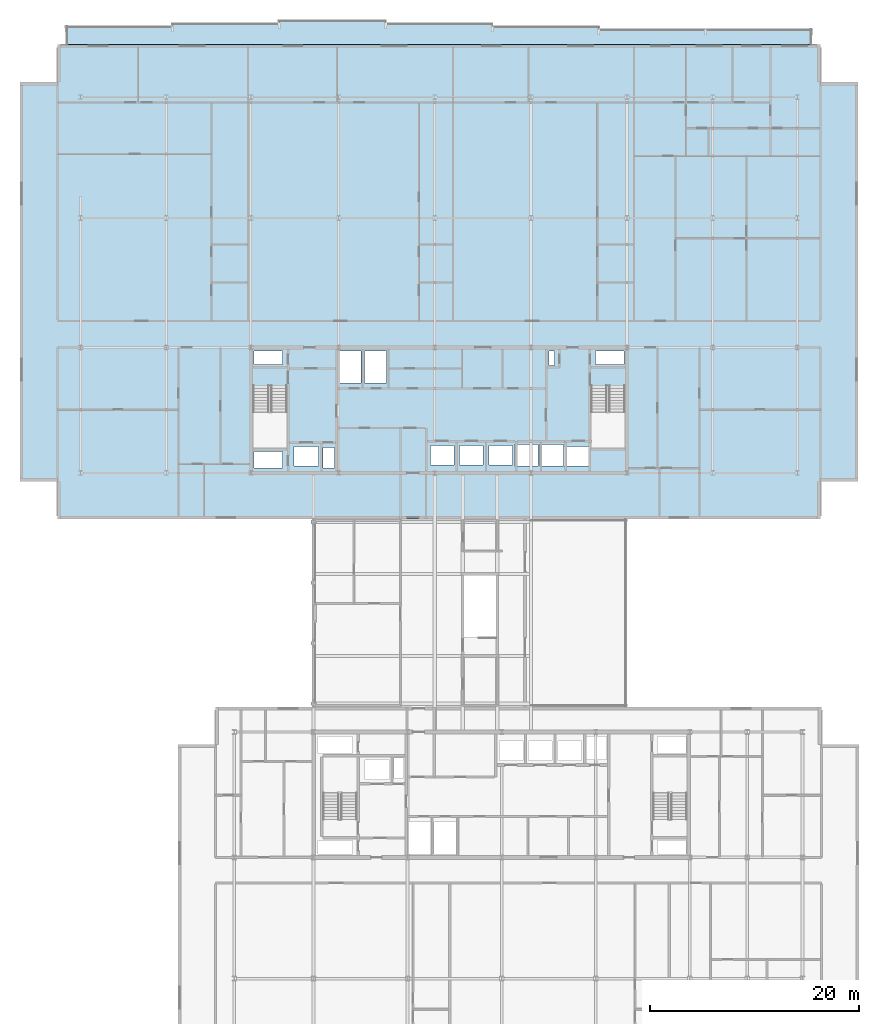
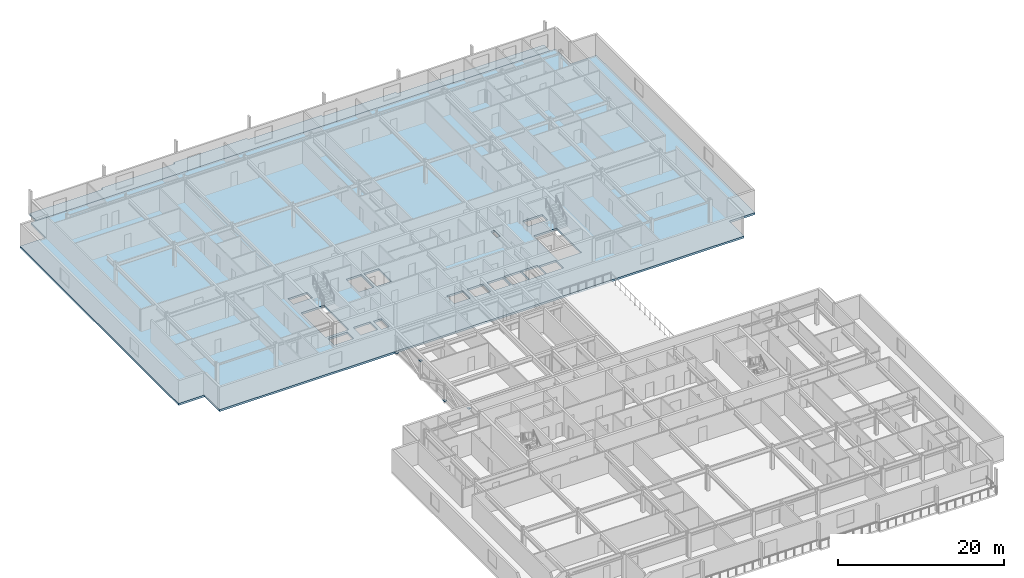
# One storey, part 10 of 28: 4 plates, 2 slabs.
"""IFC4 building model written with IfcOpenShell, lengths in metres."""

import ifcopenshell
import ifcopenshell.guid

model = None  # the IFC model being written
_history = None  # IfcOwnerHistory: only IFC2X3 demands one
_inside = {}  # id of a spatial element -> (the spatial element, [elements in it])
_under = {}  # id of a project, library or spatial element -> (it, [spatial elements below it])
_declared = {}  # id of a project -> (the project, [libraries it declares])
_typed = {}  # id of a type object -> (the type object, [elements of that type])
_made_of = {}  # id of a material, layer set ... -> (it, [elements and type objects made of it])


def new_model(schema):
    """Start an empty IFC model of exactly this schema.

    Asked for "IFC4X3", IfcOpenShell would pick the latest addendum, in which some entities
    have other attributes; the version numbers below select the first issue.
    IFC2X3 requires an IfcOwnerHistory on every rooted entity: one is made here for all.
    """
    global model, _history
    if schema == "IFC4X3":
        model = ifcopenshell.file(schema_version=(4, 3, 0, 0))
    else:
        model = ifcopenshell.file(schema=schema)
    _inside.clear()
    _under.clear()
    _declared.clear()
    _typed.clear()
    _made_of.clear()
    _history = None
    if model.schema == "IFC2X3":
        org = make("IfcOrganization", Name="unknown")
        user = make(
            "IfcPersonAndOrganization",
            ThePerson=make("IfcPerson", FamilyName="unknown"),
            TheOrganization=org,
        )
        app = make(
            "IfcApplication",
            ApplicationDeveloper=org,
            Version="unknown",
            ApplicationFullName="unknown",
            ApplicationIdentifier="unknown",
        )
        _history = make(
            "IfcOwnerHistory",
            OwningUser=user,
            OwningApplication=app,
            ChangeAction="ADDED",
            CreationDate=0,
        )
    return model


def make(cls, **values):
    """One entity of the class cls with the attributes given. An attribute that is None is left unset."""
    return model.create_entity(
        cls, **{name: value for name, value in values.items() if value is not None}
    )


def rooted(cls, **values):
    """An entity with a GlobalId (a new one), such as an element, a storey or a relation."""
    return make(cls, GlobalId=ifcopenshell.guid.new(), OwnerHistory=_history, **values)


def si_unit(unit_type, name, prefix=None):
    """IfcSIUnit, for example si_unit("LENGTHUNIT", "METRE", prefix="MILLI")."""
    return make("IfcSIUnit", UnitType=unit_type, Prefix=prefix, Name=name)


def assignment(units):
    """IfcUnitAssignment: the units of a project."""
    return None if units is None else make("IfcUnitAssignment", Units=units)


def point(xyz):
    """IfcCartesianPoint."""
    return None if xyz is None else make("IfcCartesianPoint", Coordinates=xyz)


def direction(xyz):
    """IfcDirection."""
    return None if xyz is None else make("IfcDirection", DirectionRatios=xyz)


def frame(location, z_axis=None, x_axis=None):
    """IfcAxis2Placement3D, a coordinate frame: its origin and axes. An axis left out is left unset."""
    return make(
        "IfcAxis2Placement3D",
        Location=point(location),
        Axis=direction(z_axis),
        RefDirection=direction(x_axis),
    )


def frame_2d(location, x_axis=None):
    """IfcAxis2Placement2D, a coordinate frame in the plane: its origin and x axis."""
    return make(
        "IfcAxis2Placement2D", Location=point(location), RefDirection=direction(x_axis)
    )


def origin():
    """The frame at (0, 0, 0) with its axes left unset."""
    return frame((0.0, 0.0, 0.0))


def origin_2d():
    """The frame at (0, 0) in the plane with its x axis left unset."""
    return frame_2d((0.0, 0.0))


def place(relative_to, where):
    """IfcLocalPlacement: puts the frame where relative to a parent placement (None: the world)."""
    return make(
        "IfcLocalPlacement", PlacementRelTo=relative_to, RelativePlacement=where
    )


def context(
    kind, dimensions, precision=None, world=None, true_north=None, identifier=None
):
    """IfcGeometricRepresentationContext, for example the 3D "Model" context."""
    return make(
        "IfcGeometricRepresentationContext",
        ContextIdentifier=identifier,
        ContextType=kind,
        CoordinateSpaceDimension=dimensions,
        Precision=precision,
        WorldCoordinateSystem=world,
        TrueNorth=true_north,
    )


def subcontext(parent, identifier, kind, view, scale=None):
    """IfcGeometricRepresentationSubContext, for example "Body" below "Model"."""
    return make(
        "IfcGeometricRepresentationSubContext",
        ContextIdentifier=identifier,
        ContextType=kind,
        ParentContext=parent,
        TargetScale=scale,
        TargetView=view,
    )


def project(units=None, contexts=None):
    """IfcProject with its units and contexts."""
    return rooted(
        "IfcProject",
        Name="project",
        RepresentationContexts=contexts,
        UnitsInContext=assignment(units),
    )


def spatial(cls, under=None, at=None, **own):
    """A site, building, storey or space (cls), placed at a placement, below another one or the project."""
    s = rooted(cls, ObjectPlacement=at, **own)
    if under is not None:
        _under.setdefault(under.id(), (under, []))[1].append(s)
    return s


def polyline(points):
    """IfcPolyline through the points."""
    return make("IfcPolyline", Points=[point(p) for p in points])


def profile(cls, at=None, kind="AREA", **sizes):
    """A parametric profile (cls). Its sizes go by their IFC names, for example OverallWidth=200.0."""
    return make(cls, ProfileType=kind, Position=at, **sizes)


def rectangle(**sizes):
    """IfcRectangleProfileDef."""
    return profile("IfcRectangleProfileDef", **sizes)


def outline(outer, holes=None, kind="AREA"):
    """IfcArbitraryClosedProfileDef: a profile drawn as a closed curve; with holes, ...WithVoids."""
    if holes is None:
        return make("IfcArbitraryClosedProfileDef", ProfileType=kind, OuterCurve=outer)
    return make(
        "IfcArbitraryProfileDefWithVoids",
        ProfileType=kind,
        OuterCurve=outer,
        InnerCurves=holes,
    )


def extrude(swept, where, along, depth):
    """IfcExtrudedAreaSolid: the profile swept, set in the frame where, extruded along a direction by depth."""
    return make(
        "IfcExtrudedAreaSolid",
        SweptArea=swept,
        Position=where,
        ExtrudedDirection=direction(along),
        Depth=depth,
    )


def shape(context_of_items, identifier, shape_type, items):
    """IfcShapeRepresentation: the items that make up one representation, for example the "Body"."""
    return make(
        "IfcShapeRepresentation",
        ContextOfItems=context_of_items,
        RepresentationIdentifier=identifier,
        RepresentationType=shape_type,
        Items=items,
    )


def material(Name=None, Category=None):
    """IfcMaterial."""
    return make("IfcMaterial", Name=Name, Category=Category)


def layer(
    of_material, thickness, ventilated=None, Name=None, Category=None, Priority=None
):
    """IfcMaterialLayer: one layer of a wall or slab, of a material (None: an air gap)."""
    return make(
        "IfcMaterialLayer",
        Material=of_material,
        LayerThickness=thickness,
        IsVentilated=ventilated,
        Name=Name,
        Category=Category,
        Priority=Priority,
    )


def layer_set(layers, Name=None):
    """IfcMaterialLayerSet."""
    return make("IfcMaterialLayerSet", MaterialLayers=layers, LayerSetName=Name)


def made_of(thing, what):
    """Note that an element or type object is made of a material, layer set ...; save() writes the relation."""
    if what is not None:
        _made_of.setdefault(what.id(), (what, []))[1].append(thing)
    return thing


def type_object(cls, material=None, **own):
    """A type object (cls), such as IfcWallType, which elements share."""
    return made_of(rooted(cls, **own), material)


def element(
    cls,
    number,
    at=None,
    inside=None,
    cuts=None,
    type_object=None,
    material=None,
    context=None,
    identifier="Body",
    shape_type=None,
    held_by="IfcProductDefinitionShape",
    body=None,
    shapes=None,
    **own,
):
    """One element of the class cls, such as IfcWall. Its Tag is "e" and its number.

    at: its placement. inside: the storey or other place that contains it. cuts: it is an
    opening in that element (IfcRelVoidsElement). A single representation is given by context,
    identifier, shape_type and body (its items); several are given by shapes. held_by: the class
    of the entity that holds the representations. save() writes the other relations.
    """
    e = rooted(cls, Tag="e%d" % number, ObjectPlacement=at, **own)
    if body is not None:
        shapes = [shape(context, identifier, shape_type, body)]
    if shapes is not None:
        e.Representation = make(held_by, Representations=shapes)
    if inside is not None:
        _inside.setdefault(inside.id(), (inside, []))[1].append(e)
    if cuts is not None:
        rooted(
            "IfcRelVoidsElement", RelatingBuildingElement=cuts, RelatedOpeningElement=e
        )
    if type_object is not None:
        _typed.setdefault(type_object.id(), (type_object, []))[1].append(e)
    return made_of(e, material)


def aggregate(whole, parts):
    """IfcRelAggregates: a whole, such as a stair, and the parts it consists of."""
    return rooted("IfcRelAggregates", RelatingObject=whole, RelatedObjects=parts)


def save(model, path):
    """Write the relations noted so far, then the file.

    IfcRelAggregates (storeys below a building ...), IfcRelContainedInSpatialStructure (elements
    in a storey), IfcRelDefinesByType, IfcRelAssociatesMaterial and IfcRelDeclares: one each for
    every whole, place, type object, material and project.
    """
    for whole, parts in _under.values():
        aggregate(whole, parts)
    for where, things in _inside.values():
        rooted(
            "IfcRelContainedInSpatialStructure",
            RelatedElements=things,
            RelatingStructure=where,
        )
    for kind, things in _typed.values():
        rooted("IfcRelDefinesByType", RelatedObjects=things, RelatingType=kind)
    for what, things in _made_of.values():
        rooted("IfcRelAssociatesMaterial", RelatedObjects=things, RelatingMaterial=what)
    for by, libraries in _declared.values():
        rooted("IfcRelDeclares", RelatingContext=by, RelatedDefinitions=libraries)
    model.write(path)


model = new_model("IFC4")

# Units and contexts
model_context = context("Model", 3, precision=1e-05, world=origin(), true_north=direction((0.0, 1.0)))
body_context = subcontext(model_context, "Body", "Model", "MODEL_VIEW")
ifc_project = project(units=[si_unit("LENGTHUNIT", "METRE"), si_unit("AREAUNIT", "SQUARE_METRE"), si_unit("VOLUMEUNIT", "CUBIC_METRE"), si_unit("PLANEANGLEUNIT", "RADIAN"), si_unit("MASSUNIT", "GRAM", prefix="KILO")], contexts=[model_context])

# Site, building, storey
site_placement = place(None, origin())
site = spatial("IfcSite", under=ifc_project, at=site_placement, CompositionType="ELEMENT")
building_placement = place(site_placement, origin())
building = spatial("IfcBuilding", under=site, at=building_placement, Name="Korimba Cascade Residences", CompositionType="ELEMENT")
storey_placement = place(building_placement, frame((0.0, 0.0, 153.699951171875)))
storey = spatial("IfcBuildingStorey", under=building, at=storey_placement, Name="L44", CompositionType="ELEMENT", Elevation=153.699951171875)

# Plates
ifc_material_1 = material(Name="Steel S460", Category="steel")
ifc_layer_1 = layer(ifc_material_1, 0.028076171875)
ifc_layer_set_1 = layer_set([ifc_layer_1], Name="Steel S460")
plate_type = type_object("IfcPlateType", Name="PLT-ENDCAP-28", PredefinedType="USERDEFINED", material=ifc_layer_set_1)
for number, where, z_axis, x_axis, name in (
    (1, (82.10009765625, 33.10009765625, 2.37939453125), (0.0, 0.0, 1.0), (1.0, 0.0, 0.0), "L44 Brace Welded End Connection Plate 90"),
    (2, (82.10009765625, 38.89990234375, 0.005859375), (0.0, 0.0, 1.0), (1.0, 0.0, 0.0), "L44 Brace Welded End Connection Plate 91"),
    (3, (82.10009765625, 44.699951171875, 2.37939453125), (0.0, 0.0, 1.0), (1.0, 0.0, 0.0), "L44 Brace Welded End Connection Plate 92"),
    (4, (82.10009765625, 50.5, 0.005859375), (0.0, 0.0, 1.0), (1.0, 0.0, 0.0), "L44 Brace Welded End Connection Plate 93"),
):
    element("IfcPlate", number, at=place(storey_placement, frame(where, z_axis=z_axis, x_axis=x_axis)), inside=storey, type_object=plate_type, Name=name, ObjectType="CAP PLATE", PredefinedType="USERDEFINED", context=body_context, shape_type="SweptSolid", body=[
        extrude(rectangle(XDim=0.360107421875, YDim=0.360107421875, at=origin_2d()), origin(), (0.0, 0.0, 1.0), 0.028076171875),
    ])

# Slabs
ifc_material_2 = material(Name="Precast concrete C40/50", Category="concrete")
ifc_layer_2 = layer(ifc_material_2, 0.239990234375)
ifc_layer_set_2 = layer_set([ifc_layer_2], Name="Precast concrete C40/50")
slab_type_1 = type_object("IfcSlabType", Name="SLB-LOG-240", PredefinedType="FLOOR", material=ifc_layer_set_2)
slab_1_placement = place(storey_placement, frame((0.0, 0.0, -0.239990234375)))
element("IfcSlab", 5, at=slab_1_placement, inside=storey, type_object=slab_type_1, Name="L44 Tower 1 North Loggia Slab", PredefinedType="FLOOR", context=body_context, shape_type="SweptSolid", body=[
    extrude(outline(polyline([(58.39990234375, 96.199951171875), (129.800048828125, 96.199951171875), (129.800048828125, 97.64990234375), (109.39990234375, 97.64990234375), (109.39990234375, 97.949951171875), (99.199951171875, 97.949951171875), (99.199951171875, 98.25), (89.0, 98.25), (89.0, 98.550048828125), (78.800048828125, 98.550048828125), (78.800048828125, 98.25), (68.60009765625, 98.25), (68.60009765625, 97.949951171875), (58.39990234375, 97.949951171875), (58.39990234375, 96.199951171875)])), origin(), (0.0, 0.0, 1.0), 0.239990234375),
])
ifc_material_3 = material(Name="Concrete C50/60", Category="concrete")
ifc_layer_3 = layer(ifc_material_3, 0.280029296875)
ifc_layer_set_3 = layer_set([ifc_layer_3], Name="Concrete C50/60")
slab_type_2 = type_object("IfcSlabType", Name="SLB-TYP-280", PredefinedType="FLOOR", material=ifc_layer_set_3)
slab_2_placement = place(storey_placement, frame((0.0, 0.0, -0.2900390625)))
element("IfcSlab", 6, at=slab_2_placement, inside=storey, type_object=slab_type_2, Name="L44 Tower 1 Floor Slab", PredefinedType="FLOOR", context=body_context, shape_type="SweptSolid", body=[
    extrude(outline(polyline([(57.60009765625, 50.800048828125), (130.60009765625, 50.800048828125), (130.60009765625, 54.39990234375), (134.199951171875, 54.39990234375), (134.199951171875, 92.60009765625), (130.60009765625, 92.60009765625), (130.60009765625, 96.199951171875), (57.60009765625, 96.199951171875), (57.60009765625, 92.60009765625), (54.0, 92.60009765625), (54.0, 54.39990234375), (57.60009765625, 54.39990234375), (57.60009765625, 50.800048828125)]), holes=[polyline([(76.300048828125, 63.514892578125), (76.300048828125, 57.60009765625), (79.5400390625, 57.60009765625), (79.5400390625, 63.514892578125), (76.300048828125, 63.514892578125)]), polyline([(108.659912109375, 63.514892578125), (108.659912109375, 57.60009765625), (111.89990234375, 57.60009765625), (111.89990234375, 63.514892578125), (108.659912109375, 63.514892578125)]), polyline([(80.22998046875, 55.8798828125), (82.570068359375, 55.8798828125), (82.570068359375, 57.719970703125), (80.22998046875, 57.719970703125), (80.22998046875, 55.8798828125)]), polyline([(106.080078125, 55.8798828125), (108.419921875, 55.8798828125), (108.419921875, 57.719970703125), (106.080078125, 57.719970703125), (106.080078125, 55.8798828125)]), polyline([(93.280029296875, 55.97998046875), (95.52001953125, 55.97998046875), (95.52001953125, 57.820068359375), (93.280029296875, 57.820068359375), (93.280029296875, 55.97998046875)]), polyline([(96.080078125, 55.97998046875), (98.320068359375, 55.97998046875), (98.320068359375, 57.820068359375), (96.080078125, 57.820068359375), (96.080078125, 55.97998046875)]), polyline([(98.8798828125, 55.97998046875), (101.1201171875, 55.97998046875), (101.1201171875, 57.820068359375), (98.8798828125, 57.820068359375), (98.8798828125, 55.97998046875)]), polyline([(101.304931640625, 55.8798828125), (103.594970703125, 55.8798828125), (103.594970703125, 57.919921875), (101.304931640625, 57.919921875), (101.304931640625, 55.8798828125)]), polyline([(103.705078125, 55.8798828125), (105.9951171875, 55.8798828125), (105.9951171875, 57.919921875), (103.705078125, 57.919921875), (103.705078125, 55.8798828125)]), polyline([(82.97998046875, 55.679931640625), (84.080078125, 55.679931640625), (84.080078125, 57.6201171875), (82.97998046875, 57.6201171875), (82.97998046875, 55.679931640625)]), polyline([(76.39990234375, 65.56005859375), (79.10009765625, 65.56005859375), (79.10009765625, 66.8798828125), (76.39990234375, 66.8798828125), (76.39990234375, 65.56005859375)]), polyline([(76.39990234375, 55.679931640625), (79.10009765625, 55.679931640625), (79.10009765625, 57.239990234375), (76.39990234375, 57.239990234375), (76.39990234375, 55.679931640625)]), polyline([(84.530029296875, 63.820068359375), (86.6201171875, 63.820068359375), (86.6201171875, 66.8798828125), (84.530029296875, 66.8798828125), (84.530029296875, 63.820068359375)]), polyline([(86.97998046875, 63.820068359375), (89.070068359375, 63.820068359375), (89.070068359375, 66.8798828125), (86.97998046875, 66.8798828125), (86.97998046875, 63.820068359375)]), polyline([(104.6201171875, 65.4599609375), (105.179931640625, 65.4599609375), (105.179931640625, 66.8798828125), (104.6201171875, 66.8798828125), (104.6201171875, 65.4599609375)]), polyline([(109.080078125, 65.56005859375), (111.800048828125, 65.56005859375), (111.800048828125, 66.8798828125), (109.080078125, 66.8798828125), (109.080078125, 65.56005859375)])]), origin(), (0.0, 0.0, 1.0), 0.2900390625),
])

save(model, "model.ifc")
